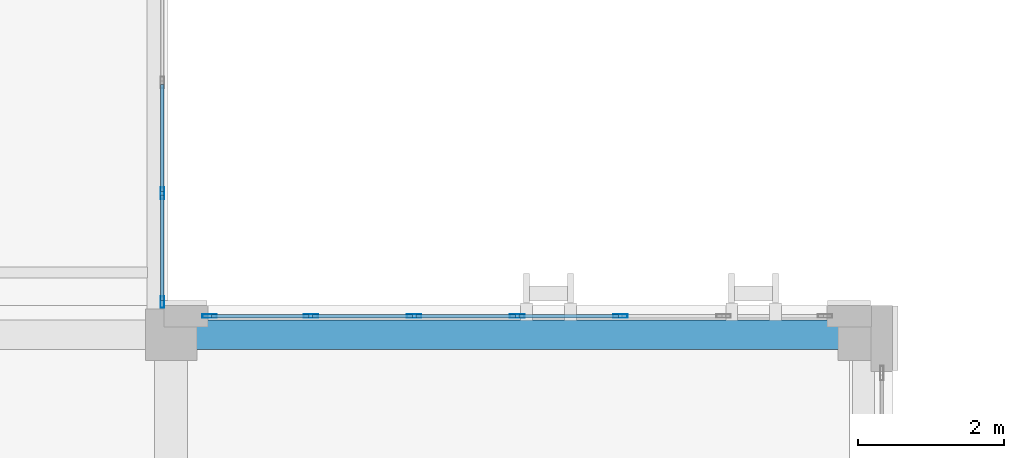
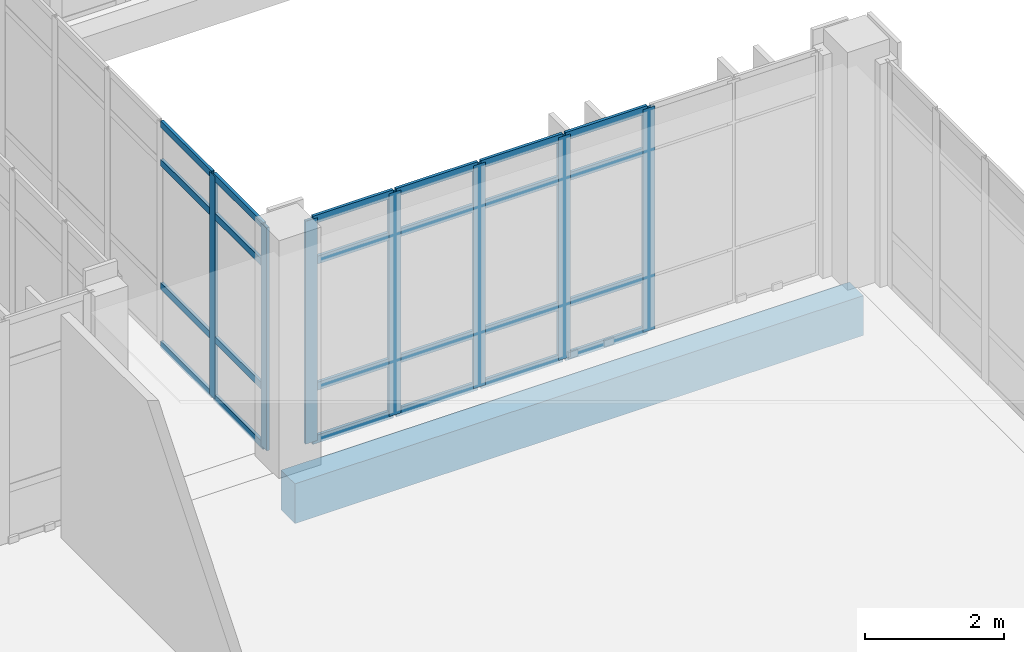
# One storey, part 46 of 165: 31 members, 1 beam, 2 elements without a shape of their own.
"""IFC4 building model written with IfcOpenShell, lengths in metres."""

from ifc_helpers import new_model, si_unit, direction, frame, origin, origin_2d, place, context, subcontext, project, spatial, rectangle, hollow_rectangle, extrude, material, layer, layer_set, material_profile, profile_set, type_object, element, aggregate, save


model = new_model("IFC4")

# Units and contexts
model_context = context("Model", 3, precision=1e-05, world=origin(), true_north=direction((0.0, 1.0)))
body_context = subcontext(model_context, "Body", "Model", "MODEL_VIEW")
ifc_project = project(units=[si_unit("LENGTHUNIT", "METRE"), si_unit("AREAUNIT", "SQUARE_METRE"), si_unit("VOLUMEUNIT", "CUBIC_METRE"), si_unit("PLANEANGLEUNIT", "RADIAN"), si_unit("MASSUNIT", "GRAM", prefix="KILO")], contexts=[model_context])

# Site, building, storey
site_placement = place(None, origin())
site = spatial("IfcSite", under=ifc_project, at=site_placement, CompositionType="ELEMENT")
building_placement = place(site_placement, origin())
building = spatial("IfcBuilding", under=site, at=building_placement, Name="Qalavern Law Courts", CompositionType="ELEMENT")
storey_placement = place(building_placement, frame((0.0, 0.0, 14.39990234375)))
storey = spatial("IfcBuildingStorey", under=building, at=storey_placement, Name="L03", CompositionType="ELEMENT", Elevation=14.39990234375)

# Curtain wall, members
ifc_material_1 = material(Name="Anodised aluminium and insulated glazing", Category="aluminium")
ifc_layer_1 = layer(ifc_material_1, 0.14990234375)
ifc_layer_set_1 = layer_set([ifc_layer_1], Name="Anodised aluminium and insulated glazing")
curtain_wall_type_1 = type_object("IfcCurtainWallType", Name="ENV-CW-BRG", PredefinedType="USERDEFINED", material=ifc_layer_set_1)
curtain_wall_1_placement = place(storey_placement, origin())
curtain_wall_1 = element("IfcCurtainWall", 1, at=curtain_wall_1_placement, inside=storey, type_object=curtain_wall_type_1, Name="Bridge BR-V2-V4 glazed curtain wall L03-2", ObjectType="UNITISED CURTAIN WALL", PredefinedType="USERDEFINED")
ifc_material_2 = material(Name="Anodised aluminium", Category="aluminium")
ifc_material_profile_1 = material_profile(ifc_material_2, hollow_rectangle(XDim=0.048095703125, YDim=0.159912109375, WallThickness=0.00390625, at=origin_2d()), Name="ALU MULLION 48x160")
ifc_profile_set_1 = profile_set([ifc_material_profile_1], Name="Anodised aluminium")
member_type_1 = type_object("IfcMemberType", Name="ENV-CWM-48x160", PredefinedType="MULLION", material=ifc_profile_set_1)
member_1_placement = place(storey_placement, frame((91.22509765625, 30.444091796875, 0.0), z_axis=(0.0, 0.0, 1.0), x_axis=(-1.0, 0.0, 0.0)))
member_1 = element("IfcMember", 2, at=member_1_placement, type_object=member_type_1, Name="CW-06 mullion 1", PredefinedType="MULLION", context=body_context, shape_type="SweptSolid", body=[
    extrude(hollow_rectangle(XDim=0.048095703125, YDim=0.159912109375, WallThickness=0.00390625, at=origin_2d()), origin(), (0.0, 0.0, 1.0), 3.920166015625),
])
member_2_placement = place(storey_placement, frame((91.22509765625, 31.931396484375, 0.0), z_axis=(0.0, 0.0, 1.0), x_axis=(-1.0, 0.0, 0.0)))
member_2 = element("IfcMember", 3, at=member_2_placement, type_object=member_type_1, Name="CW-06 mullion 2", PredefinedType="MULLION", context=body_context, shape_type="SweptSolid", body=[
    extrude(hollow_rectangle(XDim=0.048095703125, YDim=0.159912109375, WallThickness=0.00390625, at=origin_2d()), origin(), (0.0, 0.0, 1.0), 3.920166015625),
])

ifc_layer_2 = layer(ifc_material_1, 0.18505859375)
ifc_layer_set_2 = layer_set([ifc_layer_2], Name="Anodised aluminium and insulated glazing")
curtain_wall_type_2 = type_object("IfcCurtainWallType", Name="ENV-CW-HALL", PredefinedType="USERDEFINED", material=ifc_layer_set_2)
curtain_wall_2_placement = place(storey_placement, origin())
curtain_wall_2 = element("IfcCurtainWall", 4, at=curtain_wall_2_placement, inside=storey, type_object=curtain_wall_type_2, Name="V2 unitised curtain wall L03 north 1", ObjectType="UNITISED CURTAIN WALL", PredefinedType="USERDEFINED")
ifc_material_profile_2 = material_profile(ifc_material_2, hollow_rectangle(XDim=0.048095703125, YDim=0.199951171875, WallThickness=0.00439453125, at=origin_2d()), Name="ALU MULLION 48x200")
ifc_profile_set_2 = profile_set([ifc_material_profile_2], Name="Anodised aluminium")
member_type_2 = type_object("IfcMemberType", Name="ENV-CWM-48x200", PredefinedType="MULLION", material=ifc_profile_set_2)
member_3_placement = place(storey_placement, frame((97.48193359375, 30.25244140625, 0.0), z_axis=(0.0, 0.0, 1.0), x_axis=(0.0, -1.0, 0.0)))
member_3 = element("IfcMember", 5, at=member_3_placement, type_object=member_type_2, Name="CW-02 mullion 3", PredefinedType="MULLION", context=body_context, shape_type="SweptSolid", body=[
    extrude(hollow_rectangle(XDim=0.048095703125, YDim=0.199951171875, WallThickness=0.00439453125, at=origin_2d()), origin(), (0.0, 0.0, 1.0), 3.920166015625),
])
member_4_placement = place(storey_placement, frame((96.07275390625, 30.25244140625, 0.0), z_axis=(0.0, 0.0, 1.0), x_axis=(0.0, -1.0, 0.0)))
member_4 = element("IfcMember", 6, at=member_4_placement, type_object=member_type_2, Name="CW-02 mullion 4", PredefinedType="MULLION", context=body_context, shape_type="SweptSolid", body=[
    extrude(hollow_rectangle(XDim=0.048095703125, YDim=0.199951171875, WallThickness=0.00439453125, at=origin_2d()), origin(), (0.0, 0.0, 1.0), 3.920166015625),
])
member_5_placement = place(storey_placement, frame((94.663818359375, 30.25244140625, 0.0), z_axis=(0.0, 0.0, 1.0), x_axis=(0.0, -1.0, 0.0)))
member_5 = element("IfcMember", 7, at=member_5_placement, type_object=member_type_2, Name="CW-02 mullion 5", PredefinedType="MULLION", context=body_context, shape_type="SweptSolid", body=[
    extrude(hollow_rectangle(XDim=0.048095703125, YDim=0.199951171875, WallThickness=0.00439453125, at=origin_2d()), origin(), (0.0, 0.0, 1.0), 3.920166015625),
])
member_6_placement = place(storey_placement, frame((93.254638671875, 30.25244140625, 0.0), z_axis=(0.0, 0.0, 1.0), x_axis=(0.0, -1.0, 0.0)))
member_6 = element("IfcMember", 8, at=member_6_placement, type_object=member_type_2, Name="CW-02 mullion 6", PredefinedType="MULLION", context=body_context, shape_type="SweptSolid", body=[
    extrude(hollow_rectangle(XDim=0.048095703125, YDim=0.199951171875, WallThickness=0.00439453125, at=origin_2d()), origin(), (0.0, 0.0, 1.0), 3.920166015625),
])
member_7_placement = place(storey_placement, frame((91.86962890625, 30.25244140625, 0.0), z_axis=(0.0, 0.0, 1.0), x_axis=(0.0, -1.0, 0.0)))
member_7 = element("IfcMember", 9, at=member_7_placement, type_object=member_type_2, Name="CW-02 mullion 7", PredefinedType="MULLION", context=body_context, shape_type="SweptSolid", body=[
    extrude(hollow_rectangle(XDim=0.048095703125, YDim=0.199951171875, WallThickness=0.00439453125, at=origin_2d()), origin(), (0.0, 0.0, 1.0), 3.920166015625),
])

# Member
ifc_material_profile_3 = material_profile(ifc_material_2, hollow_rectangle(XDim=0.048095703125, YDim=0.1201171875, WallThickness=0.00390625, at=origin_2d()), Name="ALU TRANSOM 48x120")
ifc_profile_set_3 = profile_set([ifc_material_profile_3], Name="Anodised aluminium")
member_type_3 = type_object("IfcMemberType", Name="ENV-CWT-48x120", PredefinedType="USERDEFINED", material=ifc_profile_set_3)
member_8_placement = place(storey_placement, frame((91.22509765625, 30.468017578125, 0.024169921875), z_axis=(0.0, 1.0, 0.0), x_axis=(-1.0, 0.0, 0.0)))
member_8 = element("IfcMember", 10, at=member_8_placement, type_object=member_type_3, Name="CW-06 transom 1.1", ObjectType="TRANSOM", PredefinedType="USERDEFINED", context=body_context, shape_type="SweptSolid", body=[
    extrude(hollow_rectangle(XDim=0.048095703125, YDim=0.1201171875, WallThickness=0.00390625, at=origin_2d()), origin(), (0.0, 0.0, 1.0), 1.439453125),
])

member_9_placement = place(storey_placement, frame((91.22509765625, 30.468017578125, 1.050048828125), z_axis=(0.0, 1.0, 0.0), x_axis=(-1.0, 0.0, 0.0)))
member_9 = element("IfcMember", 11, at=member_9_placement, type_object=member_type_3, Name="CW-06 transom 1.2", ObjectType="TRANSOM", PredefinedType="USERDEFINED", context=body_context, shape_type="SweptSolid", body=[
    extrude(hollow_rectangle(XDim=0.048095703125, YDim=0.1201171875, WallThickness=0.00390625, at=origin_2d()), origin(), (0.0, 0.0, 1.0), 1.439453125),
])

member_10_placement = place(storey_placement, frame((91.22509765625, 30.468017578125, 3.22021484375), z_axis=(0.0, 1.0, 0.0), x_axis=(-1.0, 0.0, 0.0)))
member_10 = element("IfcMember", 12, at=member_10_placement, type_object=member_type_3, Name="CW-06 transom 1.3", ObjectType="TRANSOM", PredefinedType="USERDEFINED", context=body_context, shape_type="SweptSolid", body=[
    extrude(hollow_rectangle(XDim=0.048095703125, YDim=0.1201171875, WallThickness=0.00390625, at=origin_2d()), origin(), (0.0, 0.0, 1.0), 1.439453125),
])

member_11_placement = place(storey_placement, frame((91.22509765625, 30.468017578125, 3.89599609375), z_axis=(0.0, 1.0, 0.0), x_axis=(-1.0, 0.0, 0.0)))
member_11 = element("IfcMember", 13, at=member_11_placement, type_object=member_type_3, Name="CW-06 transom 1.4", ObjectType="TRANSOM", PredefinedType="USERDEFINED", context=body_context, shape_type="SweptSolid", body=[
    extrude(hollow_rectangle(XDim=0.048095703125, YDim=0.1201171875, WallThickness=0.00390625, at=origin_2d()), origin(), (0.0, 0.0, 1.0), 1.439453125),
])

member_12_placement = place(storey_placement, frame((91.22509765625, 31.955322265625, 0.024169921875), z_axis=(0.0, 1.0, 0.0), x_axis=(-1.0, 0.0, 0.0)))
member_12 = element("IfcMember", 14, at=member_12_placement, type_object=member_type_3, Name="CW-06 transom 2.1", ObjectType="TRANSOM", PredefinedType="USERDEFINED", context=body_context, shape_type="SweptSolid", body=[
    extrude(hollow_rectangle(XDim=0.048095703125, YDim=0.1201171875, WallThickness=0.00390625, at=origin_2d()), origin(), (0.0, 0.0, 1.0), 1.463623046875),
])

member_13_placement = place(storey_placement, frame((91.22509765625, 31.955322265625, 1.050048828125), z_axis=(0.0, 1.0, 0.0), x_axis=(-1.0, 0.0, 0.0)))
member_13 = element("IfcMember", 15, at=member_13_placement, type_object=member_type_3, Name="CW-06 transom 2.2", ObjectType="TRANSOM", PredefinedType="USERDEFINED", context=body_context, shape_type="SweptSolid", body=[
    extrude(hollow_rectangle(XDim=0.048095703125, YDim=0.1201171875, WallThickness=0.00390625, at=origin_2d()), origin(), (0.0, 0.0, 1.0), 1.463623046875),
])

member_14_placement = place(storey_placement, frame((91.22509765625, 31.955322265625, 3.22021484375), z_axis=(0.0, 1.0, 0.0), x_axis=(-1.0, 0.0, 0.0)))
member_14 = element("IfcMember", 16, at=member_14_placement, type_object=member_type_3, Name="CW-06 transom 2.3", ObjectType="TRANSOM", PredefinedType="USERDEFINED", context=body_context, shape_type="SweptSolid", body=[
    extrude(hollow_rectangle(XDim=0.048095703125, YDim=0.1201171875, WallThickness=0.00390625, at=origin_2d()), origin(), (0.0, 0.0, 1.0), 1.463623046875),
])

member_15_placement = place(storey_placement, frame((91.22509765625, 31.955322265625, 3.89599609375), z_axis=(0.0, 1.0, 0.0), x_axis=(-1.0, 0.0, 0.0)))
member_15 = element("IfcMember", 17, at=member_15_placement, type_object=member_type_3, Name="CW-06 transom 2.4", ObjectType="TRANSOM", PredefinedType="USERDEFINED", context=body_context, shape_type="SweptSolid", body=[
    extrude(hollow_rectangle(XDim=0.048095703125, YDim=0.1201171875, WallThickness=0.00390625, at=origin_2d()), origin(), (0.0, 0.0, 1.0), 1.463623046875),
])

aggregate(curtain_wall_1, [member_1, member_2, member_8, member_9, member_10, member_11, member_12, member_13, member_14, member_15])

ifc_material_profile_4 = material_profile(ifc_material_2, hollow_rectangle(XDim=0.048095703125, YDim=0.139892578125, WallThickness=0.00390625, at=origin_2d()), Name="ALU TRANSOM 48x140")
ifc_profile_set_4 = profile_set([ifc_material_profile_4], Name="Anodised aluminium")
member_type_4 = type_object("IfcMemberType", Name="ENV-CWT-48x140", PredefinedType="USERDEFINED", material=ifc_profile_set_4)
member_16_placement = place(storey_placement, frame((97.4580078125, 30.25244140625, 0.024169921875), z_axis=(-1.0, 0.0, 0.0), x_axis=(0.0, -1.0, 0.0)))
member_16 = element("IfcMember", 18, at=member_16_placement, type_object=member_type_4, Name="CW-02 transom 3.1", ObjectType="TRANSOM", PredefinedType="USERDEFINED", context=body_context, shape_type="SweptSolid", body=[
    extrude(hollow_rectangle(XDim=0.048095703125, YDim=0.139892578125, WallThickness=0.00390625, at=origin_2d()), origin(), (0.0, 0.0, 1.0), 1.361083984375),
])

member_17_placement = place(storey_placement, frame((97.4580078125, 30.25244140625, 0.9501953125), z_axis=(-1.0, 0.0, 0.0), x_axis=(0.0, -1.0, 0.0)))
member_17 = element("IfcMember", 19, at=member_17_placement, type_object=member_type_4, Name="CW-02 transom 3.2", ObjectType="TRANSOM", PredefinedType="USERDEFINED", context=body_context, shape_type="SweptSolid", body=[
    extrude(hollow_rectangle(XDim=0.048095703125, YDim=0.139892578125, WallThickness=0.00390625, at=origin_2d()), origin(), (0.0, 0.0, 1.0), 1.361083984375),
])

member_18_placement = place(storey_placement, frame((97.4580078125, 30.25244140625, 3.170166015625), z_axis=(-1.0, 0.0, 0.0), x_axis=(0.0, -1.0, 0.0)))
member_18 = element("IfcMember", 20, at=member_18_placement, type_object=member_type_4, Name="CW-02 transom 3.3", ObjectType="TRANSOM", PredefinedType="USERDEFINED", context=body_context, shape_type="SweptSolid", body=[
    extrude(hollow_rectangle(XDim=0.048095703125, YDim=0.139892578125, WallThickness=0.00390625, at=origin_2d()), origin(), (0.0, 0.0, 1.0), 1.361083984375),
])

member_19_placement = place(storey_placement, frame((97.4580078125, 30.25244140625, 3.89599609375), z_axis=(-1.0, 0.0, 0.0), x_axis=(0.0, -1.0, 0.0)))
member_19 = element("IfcMember", 21, at=member_19_placement, type_object=member_type_4, Name="CW-02 transom 3.4", ObjectType="TRANSOM", PredefinedType="USERDEFINED", context=body_context, shape_type="SweptSolid", body=[
    extrude(hollow_rectangle(XDim=0.048095703125, YDim=0.139892578125, WallThickness=0.00390625, at=origin_2d()), origin(), (0.0, 0.0, 1.0), 1.361083984375),
])

member_20_placement = place(storey_placement, frame((96.048828125, 30.25244140625, 0.024169921875), z_axis=(-1.0, 0.0, 0.0), x_axis=(0.0, -1.0, 0.0)))
member_20 = element("IfcMember", 22, at=member_20_placement, type_object=member_type_4, Name="CW-02 transom 4.1", ObjectType="TRANSOM", PredefinedType="USERDEFINED", context=body_context, shape_type="SweptSolid", body=[
    extrude(hollow_rectangle(XDim=0.048095703125, YDim=0.139892578125, WallThickness=0.00390625, at=origin_2d()), origin(), (0.0, 0.0, 1.0), 1.361083984375),
])

member_21_placement = place(storey_placement, frame((96.048828125, 30.25244140625, 0.9501953125), z_axis=(-1.0, 0.0, 0.0), x_axis=(0.0, -1.0, 0.0)))
member_21 = element("IfcMember", 23, at=member_21_placement, type_object=member_type_4, Name="CW-02 transom 4.2", ObjectType="TRANSOM", PredefinedType="USERDEFINED", context=body_context, shape_type="SweptSolid", body=[
    extrude(hollow_rectangle(XDim=0.048095703125, YDim=0.139892578125, WallThickness=0.00390625, at=origin_2d()), origin(), (0.0, 0.0, 1.0), 1.361083984375),
])

member_22_placement = place(storey_placement, frame((96.048828125, 30.25244140625, 3.170166015625), z_axis=(-1.0, 0.0, 0.0), x_axis=(0.0, -1.0, 0.0)))
member_22 = element("IfcMember", 24, at=member_22_placement, type_object=member_type_4, Name="CW-02 transom 4.3", ObjectType="TRANSOM", PredefinedType="USERDEFINED", context=body_context, shape_type="SweptSolid", body=[
    extrude(hollow_rectangle(XDim=0.048095703125, YDim=0.139892578125, WallThickness=0.00390625, at=origin_2d()), origin(), (0.0, 0.0, 1.0), 1.361083984375),
])

member_23_placement = place(storey_placement, frame((96.048828125, 30.25244140625, 3.89599609375), z_axis=(-1.0, 0.0, 0.0), x_axis=(0.0, -1.0, 0.0)))
member_23 = element("IfcMember", 25, at=member_23_placement, type_object=member_type_4, Name="CW-02 transom 4.4", ObjectType="TRANSOM", PredefinedType="USERDEFINED", context=body_context, shape_type="SweptSolid", body=[
    extrude(hollow_rectangle(XDim=0.048095703125, YDim=0.139892578125, WallThickness=0.00390625, at=origin_2d()), origin(), (0.0, 0.0, 1.0), 1.361083984375),
])

member_24_placement = place(storey_placement, frame((94.639892578125, 30.25244140625, 0.024169921875), z_axis=(-1.0, 0.0, 0.0), x_axis=(0.0, -1.0, 0.0)))
member_24 = element("IfcMember", 26, at=member_24_placement, type_object=member_type_4, Name="CW-02 transom 5.1", ObjectType="TRANSOM", PredefinedType="USERDEFINED", context=body_context, shape_type="SweptSolid", body=[
    extrude(hollow_rectangle(XDim=0.048095703125, YDim=0.139892578125, WallThickness=0.00390625, at=origin_2d()), origin(), (0.0, 0.0, 1.0), 1.361083984375),
])

member_25_placement = place(storey_placement, frame((94.639892578125, 30.25244140625, 0.9501953125), z_axis=(-1.0, 0.0, 0.0), x_axis=(0.0, -1.0, 0.0)))
member_25 = element("IfcMember", 27, at=member_25_placement, type_object=member_type_4, Name="CW-02 transom 5.2", ObjectType="TRANSOM", PredefinedType="USERDEFINED", context=body_context, shape_type="SweptSolid", body=[
    extrude(hollow_rectangle(XDim=0.048095703125, YDim=0.139892578125, WallThickness=0.00390625, at=origin_2d()), origin(), (0.0, 0.0, 1.0), 1.361083984375),
])

member_26_placement = place(storey_placement, frame((94.639892578125, 30.25244140625, 3.170166015625), z_axis=(-1.0, 0.0, 0.0), x_axis=(0.0, -1.0, 0.0)))
member_26 = element("IfcMember", 28, at=member_26_placement, type_object=member_type_4, Name="CW-02 transom 5.3", ObjectType="TRANSOM", PredefinedType="USERDEFINED", context=body_context, shape_type="SweptSolid", body=[
    extrude(hollow_rectangle(XDim=0.048095703125, YDim=0.139892578125, WallThickness=0.00390625, at=origin_2d()), origin(), (0.0, 0.0, 1.0), 1.361083984375),
])

member_27_placement = place(storey_placement, frame((94.639892578125, 30.25244140625, 3.89599609375), z_axis=(-1.0, 0.0, 0.0), x_axis=(0.0, -1.0, 0.0)))
member_27 = element("IfcMember", 29, at=member_27_placement, type_object=member_type_4, Name="CW-02 transom 5.4", ObjectType="TRANSOM", PredefinedType="USERDEFINED", context=body_context, shape_type="SweptSolid", body=[
    extrude(hollow_rectangle(XDim=0.048095703125, YDim=0.139892578125, WallThickness=0.00390625, at=origin_2d()), origin(), (0.0, 0.0, 1.0), 1.361083984375),
])

member_28_placement = place(storey_placement, frame((93.230712890625, 30.25244140625, 0.024169921875), z_axis=(-1.0, 0.0, 0.0), x_axis=(0.0, -1.0, 0.0)))
member_28 = element("IfcMember", 30, at=member_28_placement, type_object=member_type_4, Name="CW-02 transom 6.1", ObjectType="TRANSOM", PredefinedType="USERDEFINED", context=body_context, shape_type="SweptSolid", body=[
    extrude(hollow_rectangle(XDim=0.048095703125, YDim=0.139892578125, WallThickness=0.00390625, at=origin_2d()), origin(), (0.0, 0.0, 1.0), 1.3369140625),
])

member_29_placement = place(storey_placement, frame((93.230712890625, 30.25244140625, 0.9501953125), z_axis=(-1.0, 0.0, 0.0), x_axis=(0.0, -1.0, 0.0)))
member_29 = element("IfcMember", 31, at=member_29_placement, type_object=member_type_4, Name="CW-02 transom 6.2", ObjectType="TRANSOM", PredefinedType="USERDEFINED", context=body_context, shape_type="SweptSolid", body=[
    extrude(hollow_rectangle(XDim=0.048095703125, YDim=0.139892578125, WallThickness=0.00390625, at=origin_2d()), origin(), (0.0, 0.0, 1.0), 1.3369140625),
])

member_30_placement = place(storey_placement, frame((93.230712890625, 30.25244140625, 3.170166015625), z_axis=(-1.0, 0.0, 0.0), x_axis=(0.0, -1.0, 0.0)))
member_30 = element("IfcMember", 32, at=member_30_placement, type_object=member_type_4, Name="CW-02 transom 6.3", ObjectType="TRANSOM", PredefinedType="USERDEFINED", context=body_context, shape_type="SweptSolid", body=[
    extrude(hollow_rectangle(XDim=0.048095703125, YDim=0.139892578125, WallThickness=0.00390625, at=origin_2d()), origin(), (0.0, 0.0, 1.0), 1.3369140625),
])

member_31_placement = place(storey_placement, frame((93.230712890625, 30.25244140625, 3.89599609375), z_axis=(-1.0, 0.0, 0.0), x_axis=(0.0, -1.0, 0.0)))
member_31 = element("IfcMember", 33, at=member_31_placement, type_object=member_type_4, Name="CW-02 transom 6.4", ObjectType="TRANSOM", PredefinedType="USERDEFINED", context=body_context, shape_type="SweptSolid", body=[
    extrude(hollow_rectangle(XDim=0.048095703125, YDim=0.139892578125, WallThickness=0.00390625, at=origin_2d()), origin(), (0.0, 0.0, 1.0), 1.3369140625),
])

aggregate(curtain_wall_2, [member_3, member_4, member_5, member_6, member_7, member_16, member_17, member_18, member_19, member_20, member_21, member_22, member_23, member_24, member_25, member_26, member_27, member_28, member_29, member_30, member_31])

# Beam
ifc_material_3 = material(Name="Concrete C40/50", Category="concrete")
ifc_material_profile_5 = material_profile(ifc_material_3, rectangle(XDim=0.39990234375, YDim=0.699951171875, at=origin_2d()), Name="RC 400x700")
ifc_profile_set_5 = profile_set([ifc_material_profile_5], Name="Concrete C40/50")
beam_type = type_object("IfcBeamType", Name="STR-SP-RC400x700", PredefinedType="SPANDREL", material=ifc_profile_set_5)
beam_placement = place(storey_placement, frame((91.345703125, 30.0, -0.635009765625), z_axis=(1.0, 0.0, 0.0), x_axis=(0.0, 1.0, 0.0)))
element("IfcBeam", 34, at=beam_placement, inside=storey, type_object=beam_type, Name="V2 X-beam 4-7 L03", PredefinedType="SPANDREL", context=body_context, shape_type="SweptSolid", body=[
    extrude(rectangle(XDim=0.39990234375, YDim=0.699951171875, at=origin_2d()), origin(), (0.0, 0.0, 1.0), 9.454345703125),
])

save(model, "model.ifc")
